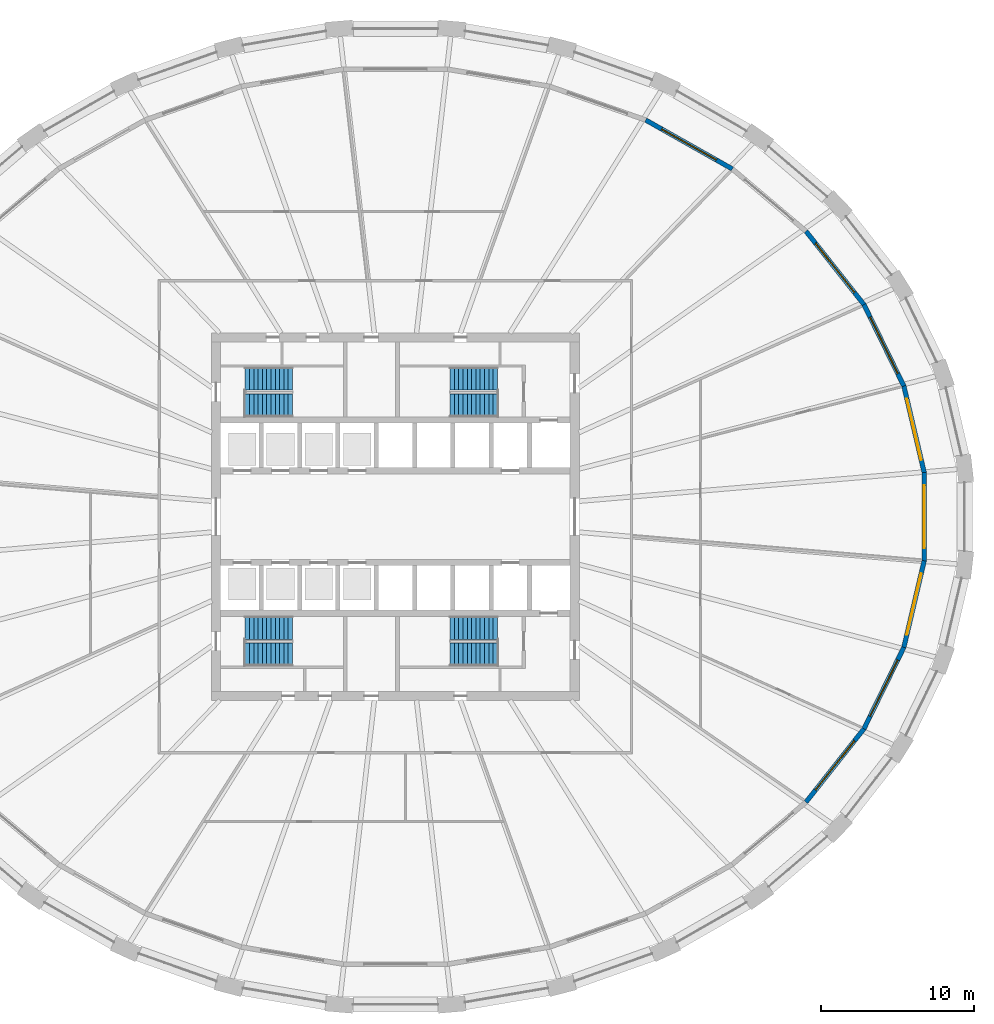
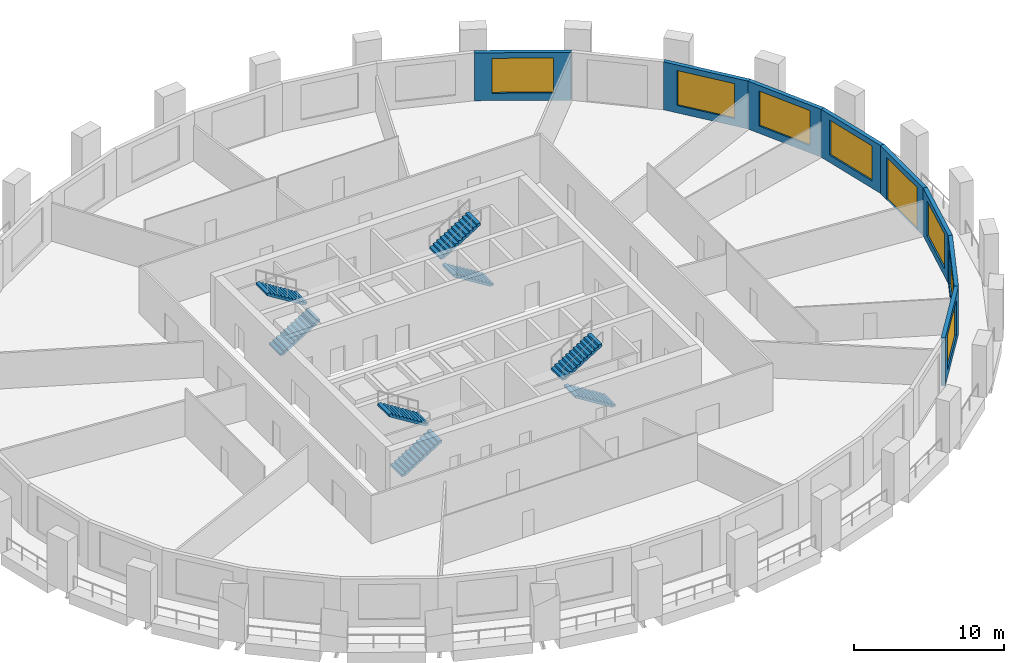
# One storey, part 7 of 10: 8 stair flights, 8 walls, 7 windows, 1 door, 8 openings, 4 elements without a shape of their own.
"""IFC4 building model written with IfcOpenShell, lengths in metres."""

from ifc_helpers import new_model, si_unit, direction, frame, frame_2d, origin, place, context, subcontext, project, spatial, polyline, rectangle, outline, extrude, material, layer, layer_set, type_object, element, fill, aggregate, save


model = new_model("IFC4")

# Units and contexts
model_context = context("Model", 3, precision=1e-05, world=origin(), true_north=direction((0.0, 1.0)))
body_context = subcontext(model_context, "Body", "Model", "MODEL_VIEW")
ifc_project = project(units=[si_unit("LENGTHUNIT", "METRE"), si_unit("AREAUNIT", "SQUARE_METRE"), si_unit("VOLUMEUNIT", "CUBIC_METRE"), si_unit("PLANEANGLEUNIT", "RADIAN"), si_unit("MASSUNIT", "GRAM", prefix="KILO")], contexts=[model_context])

# Site, building, storey
site_placement = place(None, origin())
site = spatial("IfcSite", under=ifc_project, at=site_placement, CompositionType="ELEMENT")
building_placement = place(site_placement, origin())
building = spatial("IfcBuilding", under=site, at=building_placement, Name="Halqa Exchange Tower", CompositionType="ELEMENT")
storey_placement = place(building_placement, frame((0.0, 0.0, 48.699951171875)))
storey = spatial("IfcBuildingStorey", under=building, at=storey_placement, Name="L10", CompositionType="ELEMENT", Elevation=48.699951171875)

# Wall, opening, window
ifc_material_1 = material(Name="Limestone cladding", Category="masonry")
ifc_layer_1 = layer(ifc_material_1, 0.0400390625)
ifc_material_2 = material(Name="Ventilated cavity")
ifc_layer_2 = layer(ifc_material_2, 0.030029296875, ventilated=True)
ifc_material_3 = material(Name="Mineral wool insulation")
ifc_layer_3 = layer(ifc_material_3, 0.10009765625)
ifc_material_4 = material(Name="Concrete C30/37", Category="concrete")
ifc_layer_4 = layer(ifc_material_4, 0.10009765625)
ifc_material_5 = material(Name="Internal plaster")
ifc_layer_5 = layer(ifc_material_5, 0.030029296875)
ifc_layer_set = layer_set([ifc_layer_1, ifc_layer_2, ifc_layer_3, ifc_layer_4, ifc_layer_5], Name="Stone-faced insulated wall 300")
wall_type = type_object("IfcWallType", Name="Stone-faced insulated wall 300", PredefinedType="STANDARD", material=ifc_layer_set)
wall_1_placement = place(storey_placement, frame((34.49951171875, 2.8779296875, 0.0), z_axis=(0.0, 0.0, 1.0), x_axis=(-0.228990053972, 0.973428762253, 0.0)))
wall_1 = element("IfcWall", 1, at=wall_1_placement, inside=storey, type_object=wall_type, Name="Glass-line wall 1", PredefinedType="STANDARD", context=body_context, shape_type="SweptSolid", body=[
    extrude(outline(polyline([(-0.017333984375, -0.14990234375), (5.815673828125, -0.14990234375), (5.781982421875, 0.14990234375), (0.017333984375, 0.14990234375), (-0.017333984375, -0.14990234375)])), origin(), (0.0, 0.0, 1.0), 3.900146484375),
])
opening_1_placement = place(wall_1_placement, frame((0.849365234375, 0.0, 0.60009765625)))
opening_1 = element("IfcOpeningElement", 2, at=opening_1_placement, cuts=wall_1, Name="Opening W-F1-01", PredefinedType="OPENING", context=body_context, shape_type="SweptSolid", body=[
    extrude(rectangle(XDim=4.10009765625, YDim=2.85009765625, at=frame_2d((2.050048828125, 1.425048828125))), frame((0.0, 0.162109375, 0.0), z_axis=(0.0, -1.0, 0.0), x_axis=(1.0, 0.0, 0.0)), (0.0, 0.0, 1.0), 0.323974609375),
])
ifc_material_6 = material(Name="Clear low-emissivity glass in aluminium frame", Category="aluminium")
window_type = type_object("IfcWindowType", Name="Fixed clear glazed window 4100 x 2850", PartitioningType="TRIPLE_PANEL_VERTICAL", PredefinedType="WINDOW", material=ifc_material_6)
window_1_placement = place(opening_1_placement, origin())
window_1 = element("IfcWindow", 3, at=window_1_placement, inside=storey, type_object=window_type, Name="Window 1", OverallHeight=2.85009765625, OverallWidth=4.10009765625, PartitioningType="TRIPLE_PANEL_VERTICAL", PredefinedType="WINDOW", context=body_context, shape_type="SweptSolid", body=[
    extrude(rectangle(XDim=4.10009765625, YDim=2.85009765625, at=frame_2d((2.050048828125, 1.425048828125))), frame((0.0, 0.030029296875, 0.0), z_axis=(0.0, -1.0, 0.0), x_axis=(1.0, 0.0, 0.0)), (0.0, 0.0, 1.0), 0.06005859375),
])
fill(opening_1, window_1)

wall_2_placement = place(storey_placement, frame((33.171630859375, 8.522705078125, 0.0), z_axis=(0.0, 0.0, 1.0), x_axis=(-0.439906146647, 0.898043752911, 0.0)))
wall_2 = element("IfcWall", 4, at=wall_2_placement, inside=storey, type_object=wall_type, Name="Glass-line wall 2", PredefinedType="STANDARD", context=body_context, shape_type="SweptSolid", body=[
    extrude(outline(polyline([(-0.016845703125, -0.14990234375), (5.93505859375, -0.14990234375), (5.90283203125, 0.14990234375), (0.016845703125, 0.14990234375), (-0.016845703125, -0.14990234375)])), origin(), (0.0, 0.0, 1.0), 3.900146484375),
])
opening_2_placement = place(wall_2_placement, frame((0.909423828125, 0.0, 0.60009765625)))
opening_2 = element("IfcOpeningElement", 5, at=opening_2_placement, cuts=wall_2, Name="Opening W-F1-02", PredefinedType="OPENING", context=body_context, shape_type="SweptSolid", body=[
    extrude(rectangle(XDim=4.10009765625, YDim=2.85009765625, at=frame_2d((2.050048828125, 1.425048828125))), frame((0.0, 0.162109375, 0.0), z_axis=(0.0, -1.0, 0.0), x_axis=(1.0, 0.0, 0.0)), (0.0, 0.0, 1.0), 0.323974609375),
])
window_2_placement = place(opening_2_placement, origin())
window_2 = element("IfcWindow", 6, at=window_2_placement, inside=storey, type_object=window_type, Name="Window 1", OverallHeight=2.85009765625, OverallWidth=4.10009765625, PartitioningType="TRIPLE_PANEL_VERTICAL", PredefinedType="WINDOW", context=body_context, shape_type="SweptSolid", body=[
    extrude(rectangle(XDim=4.10009765625, YDim=2.85009765625, at=frame_2d((2.050048828125, 1.425048828125))), frame((0.0, 0.030029296875, 0.0), z_axis=(0.0, -1.0, 0.0), x_axis=(1.0, 0.0, 0.0)), (0.0, 0.0, 1.0), 0.06005859375),
])
fill(opening_2, window_2)

wall_3_placement = place(storey_placement, frame((30.56787109375, 13.838134765625, 0.0), z_axis=(0.0, 0.0, 1.0), x_axis=(-0.619993638342, 0.78460683684, 0.0)))
wall_3 = element("IfcWall", 7, at=wall_3_placement, inside=storey, type_object=wall_type, Name="Glass-line wall 3", PredefinedType="STANDARD", context=body_context, shape_type="SweptSolid", body=[
    extrude(outline(polyline([(-0.01611328125, -0.14990234375), (6.109375, -0.14990234375), (6.0791015625, 0.14990234375), (0.01611328125, 0.14990234375), (-0.01611328125, -0.14990234375)])), origin(), (0.0, 0.0, 1.0), 3.900146484375),
])
opening_3_placement = place(wall_3_placement, frame((0.9970703125, 0.0, 0.60009765625)))
opening_3 = element("IfcOpeningElement", 8, at=opening_3_placement, cuts=wall_3, Name="Opening W-F1-03", PredefinedType="OPENING", context=body_context, shape_type="SweptSolid", body=[
    extrude(rectangle(XDim=4.10009765625, YDim=2.85009765625, at=frame_2d((2.050048828125, 1.425048828125))), frame((0.0, 0.162109375, 0.0), z_axis=(0.0, -1.0, 0.0), x_axis=(1.0, 0.0, 0.0)), (0.0, 0.0, 1.0), 0.323974609375),
])
window_3_placement = place(opening_3_placement, origin())
window_3 = element("IfcWindow", 9, at=window_3_placement, inside=storey, type_object=window_type, Name="Window 1", OverallHeight=2.85009765625, OverallWidth=4.10009765625, PartitioningType="TRIPLE_PANEL_VERTICAL", PredefinedType="WINDOW", context=body_context, shape_type="SweptSolid", body=[
    extrude(rectangle(XDim=4.10009765625, YDim=2.85009765625, at=frame_2d((2.050048828125, 1.425048828125))), frame((0.0, 0.030029296875, 0.0), z_axis=(0.0, -1.0, 0.0), x_axis=(1.0, 0.0, 0.0)), (0.0, 0.0, 1.0), 0.06005859375),
])
fill(opening_3, window_3)

wall_4_placement = place(storey_placement, frame((21.982666015625, 22.68408203125, 0.0), z_axis=(0.0, 0.0, 1.0), x_axis=(-0.870647609977, 0.491907246584, 0.0)))
wall_4 = element("IfcWall", 10, at=wall_4_placement, inside=storey, type_object=wall_type, Name="Glass-line wall 5", PredefinedType="STANDARD", context=body_context, shape_type="SweptSolid", body=[
    extrude(outline(polyline([(-0.01416015625, -0.14990234375), (6.502685546875, -0.14990234375), (6.475830078125, 0.14990234375), (0.01416015625, 0.14990234375), (-0.01416015625, -0.14990234375)])), origin(), (0.0, 0.0, 1.0), 3.900146484375),
])
opening_4_placement = place(wall_4_placement, frame((1.194580078125, 0.0, 0.60009765625)))
opening_4 = element("IfcOpeningElement", 11, at=opening_4_placement, cuts=wall_4, Name="Opening W-F1-05", PredefinedType="OPENING", context=body_context, shape_type="SweptSolid", body=[
    extrude(rectangle(XDim=4.10009765625, YDim=2.85009765625, at=frame_2d((2.050048828125, 1.425048828125))), frame((0.0, 0.162109375, 0.0), z_axis=(0.0, -1.0, 0.0), x_axis=(1.0, 0.0, 0.0)), (0.0, 0.0, 1.0), 0.323974609375),
])
window_4_placement = place(opening_4_placement, origin())
window_4 = element("IfcWindow", 12, at=window_4_placement, inside=storey, type_object=window_type, Name="Window 1", OverallHeight=2.85009765625, OverallWidth=4.10009765625, PartitioningType="TRIPLE_PANEL_VERTICAL", PredefinedType="WINDOW", context=body_context, shape_type="SweptSolid", body=[
    extrude(rectangle(XDim=4.10009765625, YDim=2.85009765625, at=frame_2d((2.050048828125, 1.425048828125))), frame((0.0, 0.030029296875, 0.0), z_axis=(0.0, -1.0, 0.0), x_axis=(1.0, 0.0, 0.0)), (0.0, 0.0, 1.0), 0.06005859375),
])
fill(opening_4, window_4)

wall_5_placement = place(storey_placement, frame((26.78955078125, -18.61962890625, 0.0), z_axis=(0.0, 0.0, 1.0), x_axis=(0.619993638342, 0.78460683684, 0.0)))
wall_5 = element("IfcWall", 13, at=wall_5_placement, inside=storey, type_object=wall_type, Name="Glass-line wall 29", PredefinedType="STANDARD", context=body_context, shape_type="SweptSolid", body=[
    extrude(outline(polyline([(-0.01513671875, -0.14990234375), (6.1103515625, -0.14990234375), (6.078125, 0.14990234375), (0.01513671875, 0.14990234375), (-0.01513671875, -0.14990234375)])), origin(), (0.0, 0.0, 1.0), 3.900146484375),
])
opening_5_placement = place(wall_5_placement, frame((0.9970703125, 0.0, 0.60009765625)))
opening_5 = element("IfcOpeningElement", 14, at=opening_5_placement, cuts=wall_5, Name="Opening W-F1-29", PredefinedType="OPENING", context=body_context, shape_type="SweptSolid", body=[
    extrude(rectangle(XDim=4.10009765625, YDim=2.85009765625, at=frame_2d((2.050048828125, 1.425048828125))), frame((0.0, 0.162109375, 0.0), z_axis=(0.0, -1.0, 0.0), x_axis=(1.0, 0.0, 0.0)), (0.0, 0.0, 1.0), 0.323974609375),
])
window_5_placement = place(opening_5_placement, origin())
window_5 = element("IfcWindow", 15, at=window_5_placement, inside=storey, type_object=window_type, Name="Window 1", OverallHeight=2.85009765625, OverallWidth=4.10009765625, PartitioningType="TRIPLE_PANEL_VERTICAL", PredefinedType="WINDOW", context=body_context, shape_type="SweptSolid", body=[
    extrude(rectangle(XDim=4.10009765625, YDim=2.85009765625, at=frame_2d((2.050048828125, 1.425048828125))), frame((0.0, 0.030029296875, 0.0), z_axis=(0.0, -1.0, 0.0), x_axis=(1.0, 0.0, 0.0)), (0.0, 0.0, 1.0), 0.06005859375),
])
fill(opening_5, window_5)

wall_6_placement = place(storey_placement, frame((30.56787109375, -13.838134765625, 0.0), z_axis=(0.0, 0.0, 1.0), x_axis=(0.439906146647, 0.898043752911, 0.0)))
wall_6 = element("IfcWall", 16, at=wall_6_placement, inside=storey, type_object=wall_type, Name="Glass-line wall 30", PredefinedType="STANDARD", context=body_context, shape_type="SweptSolid", body=[
    extrude(outline(polyline([(-0.01611328125, -0.14990234375), (5.935791015625, -0.14990234375), (5.902099609375, 0.14990234375), (0.01611328125, 0.14990234375), (-0.01611328125, -0.14990234375)])), origin(), (0.0, 0.0, 1.0), 3.900146484375),
])
opening_6_placement = place(wall_6_placement, frame((0.909423828125, 0.0, 0.60009765625)))
opening_6 = element("IfcOpeningElement", 17, at=opening_6_placement, cuts=wall_6, Name="Opening W-F1-30", PredefinedType="OPENING", context=body_context, shape_type="SweptSolid", body=[
    extrude(rectangle(XDim=4.10009765625, YDim=2.85009765625, at=frame_2d((2.050048828125, 1.425048828125))), frame((0.0, 0.162109375, 0.0), z_axis=(0.0, -1.0, 0.0), x_axis=(1.0, 0.0, 0.0)), (0.0, 0.0, 1.0), 0.323974609375),
])
window_6_placement = place(opening_6_placement, origin())
window_6 = element("IfcWindow", 18, at=window_6_placement, inside=storey, type_object=window_type, Name="Window 1", OverallHeight=2.85009765625, OverallWidth=4.10009765625, PartitioningType="TRIPLE_PANEL_VERTICAL", PredefinedType="WINDOW", context=body_context, shape_type="SweptSolid", body=[
    extrude(rectangle(XDim=4.10009765625, YDim=2.85009765625, at=frame_2d((2.050048828125, 1.425048828125))), frame((0.0, 0.030029296875, 0.0), z_axis=(0.0, -1.0, 0.0), x_axis=(1.0, 0.0, 0.0)), (0.0, 0.0, 1.0), 0.06005859375),
])
fill(opening_6, window_6)

wall_7_placement = place(storey_placement, frame((33.171630859375, -8.522705078125, 0.0), z_axis=(0.0, 0.0, 1.0), x_axis=(0.228990053972, 0.973428762253, 0.0)))
wall_7 = element("IfcWall", 19, at=wall_7_placement, inside=storey, type_object=wall_type, Name="Glass-line wall 31", PredefinedType="STANDARD", context=body_context, shape_type="SweptSolid", body=[
    extrude(outline(polyline([(-0.016845703125, -0.14990234375), (5.816162109375, -0.14990234375), (5.781494140625, 0.14990234375), (0.016845703125, 0.14990234375), (-0.016845703125, -0.14990234375)])), origin(), (0.0, 0.0, 1.0), 3.900146484375),
])
opening_7_placement = place(wall_7_placement, frame((0.849365234375, 0.0, 0.60009765625)))
opening_7 = element("IfcOpeningElement", 20, at=opening_7_placement, cuts=wall_7, Name="Opening W-F1-31", PredefinedType="OPENING", context=body_context, shape_type="SweptSolid", body=[
    extrude(rectangle(XDim=4.10009765625, YDim=2.85009765625, at=frame_2d((2.050048828125, 1.425048828125))), frame((0.0, 0.162109375, 0.0), z_axis=(0.0, -1.0, 0.0), x_axis=(1.0, 0.0, 0.0)), (0.0, 0.0, 1.0), 0.323974609375),
])
window_7_placement = place(opening_7_placement, origin())
window_7 = element("IfcWindow", 21, at=window_7_placement, inside=storey, type_object=window_type, Name="Window 1", OverallHeight=2.85009765625, OverallWidth=4.10009765625, PartitioningType="TRIPLE_PANEL_VERTICAL", PredefinedType="WINDOW", context=body_context, shape_type="SweptSolid", body=[
    extrude(rectangle(XDim=4.10009765625, YDim=2.85009765625, at=frame_2d((2.050048828125, 1.425048828125))), frame((0.0, 0.030029296875, 0.0), z_axis=(0.0, -1.0, 0.0), x_axis=(1.0, 0.0, 0.0)), (0.0, 0.0, 1.0), 0.06005859375),
])
fill(opening_7, window_7)

# Wall, opening, door
wall_8_placement = place(storey_placement, frame((34.49951171875, -2.8779296875, 0.0), z_axis=(0.0, 0.0, 1.0), x_axis=(0.0, 1.0, 0.0)))
wall_8 = element("IfcWall", 22, at=wall_8_placement, inside=storey, type_object=wall_type, Name="Glass-line wall 32", PredefinedType="STANDARD", context=body_context, shape_type="SweptSolid", body=[
    extrude(outline(polyline([(-0.017333984375, -0.14990234375), (5.773193359375, -0.14990234375), (5.738525390625, 0.14990234375), (0.017333984375, 0.14990234375), (-0.017333984375, -0.14990234375)])), origin(), (0.0, 0.0, 1.0), 3.900146484375),
])
opening_8_placement = place(wall_8_placement, frame((0.827880859375, 0.0, 0.0)))
opening_8 = element("IfcOpeningElement", 23, at=opening_8_placement, cuts=wall_8, Name="Opening LG-F1-08", PredefinedType="OPENING", context=body_context, shape_type="SweptSolid", body=[
    extrude(rectangle(XDim=4.10009765625, YDim=3.449951171875, at=frame_2d((2.050048828125, 1.72509765625))), frame((0.0, 0.162109375, 0.0), z_axis=(0.0, -1.0, 0.0), x_axis=(1.0, 0.0, 0.0)), (0.0, 0.0, 1.0), 0.323974609375),
])
door_type = type_object("IfcDoorType", Name="Glazed sliding loggia door 4100 x 3450", OperationType="DOUBLE_DOOR_SLIDING", PredefinedType="DOOR", material=ifc_material_6)
door_placement = place(opening_8_placement, origin())
door = element("IfcDoor", 24, at=door_placement, inside=storey, type_object=door_type, Name="Loggia door 8", OperationType="DOUBLE_DOOR_SLIDING", OverallHeight=3.449951171875, OverallWidth=4.10009765625, PredefinedType="DOOR", context=body_context, shape_type="SweptSolid", body=[
    extrude(rectangle(XDim=4.10009765625, YDim=3.449951171875, at=frame_2d((2.050048828125, 1.72509765625))), frame((0.0, 0.02490234375, 0.0), z_axis=(0.0, -1.0, 0.0), x_axis=(1.0, 0.0, 0.0)), (0.0, 0.0, 1.0), 0.050048828125),
])
fill(opening_8, door)

# Stair, stair flights
stair_type = type_object("IfcStairType", Name="Exit stair 1500 wide", PredefinedType="HALF_TURN_STAIR", material=ifc_material_4)
stair_1_placement = place(storey_placement, origin())
stair_1 = element("IfcStair", 25, at=stair_1_placement, inside=storey, type_object=stair_type, Name="Exit stair ST1", PredefinedType="HALF_TURN_STAIR")
stair_flight_type = type_object("IfcStairFlightType", Name="Stair flight 1500 wide", PredefinedType="STRAIGHT", material=ifc_material_4)
stair_flight_1_placement = place(storey_placement, frame((-9.800048828125, 7.25, 0.0), z_axis=(0.0, 0.0, 1.0), x_axis=(1.0, 0.0, 0.0)))
stair_flight_1 = element("IfcStairFlight", 26, at=stair_flight_1_placement, type_object=stair_flight_type, Name="ST1 flight 1", NumberOfRisers=12, NumberOfTreads=11, PredefinedType="STRAIGHT", RiserHeight=0.175, TreadLength=0.28, context=body_context, shape_type="SweptSolid", body=[
    extrude(outline(polyline([(0.0, 0.0), (0.0, 0.175048828125), (0.280029296875, 0.175048828125), (0.280029296875, 0.35009765625), (0.56005859375, 0.35009765625), (0.56005859375, 0.52490234375), (0.840087890625, 0.52490234375), (0.840087890625, 0.699951171875), (1.1201171875, 0.699951171875), (1.1201171875, 0.875), (1.39990234375, 0.875), (1.39990234375, 1.050048828125), (1.679931640625, 1.050048828125), (1.679931640625, 1.22509765625), (1.9599609375, 1.22509765625), (1.9599609375, 1.39990234375), (2.239990234375, 1.39990234375), (2.239990234375, 1.574951171875), (2.52001953125, 1.574951171875), (2.52001953125, 1.75), (2.800048828125, 1.75), (2.800048828125, 1.925048828125), (3.080078125, 1.925048828125), (3.080078125, 2.10009765625), (3.080078125, 1.748291015625), (0.28271484375, 0.0), (0.0, 0.0)])), frame((0.0, 0.75, 0.0), z_axis=(0.0, -1.0, 0.0), x_axis=(1.0, 0.0, 0.0)), (0.0, 0.0, 1.0), 1.5),
])
stair_flight_2_placement = place(storey_placement, frame((-6.719970703125, 9.0, 2.10009765625), z_axis=(0.0, 0.0, 1.0), x_axis=(-1.0, 0.0, 0.0)))
stair_flight_2 = element("IfcStairFlight", 27, at=stair_flight_2_placement, type_object=stair_flight_type, Name="ST1 flight 2", NumberOfRisers=12, NumberOfTreads=11, PredefinedType="STRAIGHT", RiserHeight=0.175, TreadLength=0.28, context=body_context, shape_type="SweptSolid", body=[
    extrude(outline(polyline([(0.0, 0.0), (0.0, 0.175048828125), (0.280029296875, 0.175048828125), (0.280029296875, 0.35009765625), (0.56005859375, 0.35009765625), (0.56005859375, 0.52490234375), (0.840087890625, 0.52490234375), (0.840087890625, 0.699951171875), (1.1201171875, 0.699951171875), (1.1201171875, 0.875), (1.39990234375, 0.875), (1.39990234375, 1.050048828125), (1.679931640625, 1.050048828125), (1.679931640625, 1.22509765625), (1.9599609375, 1.22509765625), (1.9599609375, 1.39990234375), (2.239990234375, 1.39990234375), (2.239990234375, 1.574951171875), (2.52001953125, 1.574951171875), (2.52001953125, 1.75), (2.800048828125, 1.75), (2.800048828125, 1.925048828125), (3.080078125, 1.925048828125), (3.080078125, 2.10009765625), (3.080078125, 1.748291015625), (0.28271484375, 0.0), (0.0, 0.0)])), frame((0.0, 0.75, 0.0), z_axis=(0.0, -1.0, 0.0), x_axis=(1.0, 0.0, 0.0)), (0.0, 0.0, 1.0), 1.5),
])
aggregate(stair_1, [stair_flight_1, stair_flight_2])

stair_2_placement = place(storey_placement, origin())
stair_2 = element("IfcStair", 28, at=stair_2_placement, inside=storey, type_object=stair_type, Name="Exit stair ST2", PredefinedType="HALF_TURN_STAIR")
stair_flight_3_placement = place(storey_placement, frame((6.64990234375, 7.25, 0.0), z_axis=(0.0, 0.0, 1.0), x_axis=(-1.0, 0.0, 0.0)))
stair_flight_3 = element("IfcStairFlight", 29, at=stair_flight_3_placement, type_object=stair_flight_type, Name="ST2 flight 1", NumberOfRisers=12, NumberOfTreads=11, PredefinedType="STRAIGHT", RiserHeight=0.175, TreadLength=0.28, context=body_context, shape_type="SweptSolid", body=[
    extrude(outline(polyline([(0.0, 0.0), (0.0, 0.175048828125), (0.280029296875, 0.175048828125), (0.280029296875, 0.35009765625), (0.56005859375, 0.35009765625), (0.56005859375, 0.52490234375), (0.840087890625, 0.52490234375), (0.840087890625, 0.699951171875), (1.1201171875, 0.699951171875), (1.1201171875, 0.875), (1.39990234375, 0.875), (1.39990234375, 1.050048828125), (1.679931640625, 1.050048828125), (1.679931640625, 1.22509765625), (1.9599609375, 1.22509765625), (1.9599609375, 1.39990234375), (2.239990234375, 1.39990234375), (2.239990234375, 1.574951171875), (2.52001953125, 1.574951171875), (2.52001953125, 1.75), (2.800048828125, 1.75), (2.800048828125, 1.925048828125), (3.080078125, 1.925048828125), (3.080078125, 2.10009765625), (3.080078125, 1.748291015625), (0.28271484375, 0.0), (0.0, 0.0)])), frame((0.0, 0.75, 0.0), z_axis=(0.0, -1.0, 0.0), x_axis=(1.0, 0.0, 0.0)), (0.0, 0.0, 1.0), 1.5),
])
stair_flight_4_placement = place(storey_placement, frame((3.570068359375, 9.0, 2.10009765625), z_axis=(0.0, 0.0, 1.0), x_axis=(1.0, 0.0, 0.0)))
stair_flight_4 = element("IfcStairFlight", 30, at=stair_flight_4_placement, type_object=stair_flight_type, Name="ST2 flight 2", NumberOfRisers=12, NumberOfTreads=11, PredefinedType="STRAIGHT", RiserHeight=0.175, TreadLength=0.28, context=body_context, shape_type="SweptSolid", body=[
    extrude(outline(polyline([(0.0, 0.0), (0.0, 0.175048828125), (0.280029296875, 0.175048828125), (0.280029296875, 0.35009765625), (0.56005859375, 0.35009765625), (0.56005859375, 0.52490234375), (0.840087890625, 0.52490234375), (0.840087890625, 0.699951171875), (1.1201171875, 0.699951171875), (1.1201171875, 0.875), (1.39990234375, 0.875), (1.39990234375, 1.050048828125), (1.679931640625, 1.050048828125), (1.679931640625, 1.22509765625), (1.9599609375, 1.22509765625), (1.9599609375, 1.39990234375), (2.239990234375, 1.39990234375), (2.239990234375, 1.574951171875), (2.52001953125, 1.574951171875), (2.52001953125, 1.75), (2.800048828125, 1.75), (2.800048828125, 1.925048828125), (3.080078125, 1.925048828125), (3.080078125, 2.10009765625), (3.080078125, 1.748291015625), (0.28271484375, 0.0), (0.0, 0.0)])), frame((0.0, 0.75, 0.0), z_axis=(0.0, -1.0, 0.0), x_axis=(1.0, 0.0, 0.0)), (0.0, 0.0, 1.0), 1.5),
])
aggregate(stair_2, [stair_flight_3, stair_flight_4])

stair_3_placement = place(storey_placement, origin())
stair_3 = element("IfcStair", 31, at=stair_3_placement, inside=storey, type_object=stair_type, Name="Exit stair ST3", PredefinedType="HALF_TURN_STAIR")
stair_flight_5_placement = place(storey_placement, frame((-9.800048828125, -9.0, 0.0), z_axis=(0.0, 0.0, 1.0), x_axis=(1.0, 0.0, 0.0)))
stair_flight_5 = element("IfcStairFlight", 32, at=stair_flight_5_placement, type_object=stair_flight_type, Name="ST3 flight 1", NumberOfRisers=12, NumberOfTreads=11, PredefinedType="STRAIGHT", RiserHeight=0.175, TreadLength=0.28, context=body_context, shape_type="SweptSolid", body=[
    extrude(outline(polyline([(0.0, 0.0), (0.0, 0.175048828125), (0.280029296875, 0.175048828125), (0.280029296875, 0.35009765625), (0.56005859375, 0.35009765625), (0.56005859375, 0.52490234375), (0.840087890625, 0.52490234375), (0.840087890625, 0.699951171875), (1.1201171875, 0.699951171875), (1.1201171875, 0.875), (1.39990234375, 0.875), (1.39990234375, 1.050048828125), (1.679931640625, 1.050048828125), (1.679931640625, 1.22509765625), (1.9599609375, 1.22509765625), (1.9599609375, 1.39990234375), (2.239990234375, 1.39990234375), (2.239990234375, 1.574951171875), (2.52001953125, 1.574951171875), (2.52001953125, 1.75), (2.800048828125, 1.75), (2.800048828125, 1.925048828125), (3.080078125, 1.925048828125), (3.080078125, 2.10009765625), (3.080078125, 1.748291015625), (0.28271484375, 0.0), (0.0, 0.0)])), frame((0.0, 0.75, 0.0), z_axis=(0.0, -1.0, 0.0), x_axis=(1.0, 0.0, 0.0)), (0.0, 0.0, 1.0), 1.5),
])
stair_flight_6_placement = place(storey_placement, frame((-6.719970703125, -7.25, 2.10009765625), z_axis=(0.0, 0.0, 1.0), x_axis=(-1.0, 0.0, 0.0)))
stair_flight_6 = element("IfcStairFlight", 33, at=stair_flight_6_placement, type_object=stair_flight_type, Name="ST3 flight 2", NumberOfRisers=12, NumberOfTreads=11, PredefinedType="STRAIGHT", RiserHeight=0.175, TreadLength=0.28, context=body_context, shape_type="SweptSolid", body=[
    extrude(outline(polyline([(0.0, 0.0), (0.0, 0.175048828125), (0.280029296875, 0.175048828125), (0.280029296875, 0.35009765625), (0.56005859375, 0.35009765625), (0.56005859375, 0.52490234375), (0.840087890625, 0.52490234375), (0.840087890625, 0.699951171875), (1.1201171875, 0.699951171875), (1.1201171875, 0.875), (1.39990234375, 0.875), (1.39990234375, 1.050048828125), (1.679931640625, 1.050048828125), (1.679931640625, 1.22509765625), (1.9599609375, 1.22509765625), (1.9599609375, 1.39990234375), (2.239990234375, 1.39990234375), (2.239990234375, 1.574951171875), (2.52001953125, 1.574951171875), (2.52001953125, 1.75), (2.800048828125, 1.75), (2.800048828125, 1.925048828125), (3.080078125, 1.925048828125), (3.080078125, 2.10009765625), (3.080078125, 1.748291015625), (0.28271484375, 0.0), (0.0, 0.0)])), frame((0.0, 0.75, 0.0), z_axis=(0.0, -1.0, 0.0), x_axis=(1.0, 0.0, 0.0)), (0.0, 0.0, 1.0), 1.5),
])
aggregate(stair_3, [stair_flight_5, stair_flight_6])

stair_4_placement = place(storey_placement, origin())
stair_4 = element("IfcStair", 34, at=stair_4_placement, inside=storey, type_object=stair_type, Name="Exit stair ST4", PredefinedType="HALF_TURN_STAIR")
stair_flight_7_placement = place(storey_placement, frame((6.64990234375, -9.0, 0.0), z_axis=(0.0, 0.0, 1.0), x_axis=(-1.0, 0.0, 0.0)))
stair_flight_7 = element("IfcStairFlight", 35, at=stair_flight_7_placement, type_object=stair_flight_type, Name="ST4 flight 1", NumberOfRisers=12, NumberOfTreads=11, PredefinedType="STRAIGHT", RiserHeight=0.175, TreadLength=0.28, context=body_context, shape_type="SweptSolid", body=[
    extrude(outline(polyline([(0.0, 0.0), (0.0, 0.175048828125), (0.280029296875, 0.175048828125), (0.280029296875, 0.35009765625), (0.56005859375, 0.35009765625), (0.56005859375, 0.52490234375), (0.840087890625, 0.52490234375), (0.840087890625, 0.699951171875), (1.1201171875, 0.699951171875), (1.1201171875, 0.875), (1.39990234375, 0.875), (1.39990234375, 1.050048828125), (1.679931640625, 1.050048828125), (1.679931640625, 1.22509765625), (1.9599609375, 1.22509765625), (1.9599609375, 1.39990234375), (2.239990234375, 1.39990234375), (2.239990234375, 1.574951171875), (2.52001953125, 1.574951171875), (2.52001953125, 1.75), (2.800048828125, 1.75), (2.800048828125, 1.925048828125), (3.080078125, 1.925048828125), (3.080078125, 2.10009765625), (3.080078125, 1.748291015625), (0.28271484375, 0.0), (0.0, 0.0)])), frame((0.0, 0.75, 0.0), z_axis=(0.0, -1.0, 0.0), x_axis=(1.0, 0.0, 0.0)), (0.0, 0.0, 1.0), 1.5),
])
stair_flight_8_placement = place(storey_placement, frame((3.570068359375, -7.25, 2.10009765625), z_axis=(0.0, 0.0, 1.0), x_axis=(1.0, 0.0, 0.0)))
stair_flight_8 = element("IfcStairFlight", 36, at=stair_flight_8_placement, type_object=stair_flight_type, Name="ST4 flight 2", NumberOfRisers=12, NumberOfTreads=11, PredefinedType="STRAIGHT", RiserHeight=0.175, TreadLength=0.28, context=body_context, shape_type="SweptSolid", body=[
    extrude(outline(polyline([(0.0, 0.0), (0.0, 0.175048828125), (0.280029296875, 0.175048828125), (0.280029296875, 0.35009765625), (0.56005859375, 0.35009765625), (0.56005859375, 0.52490234375), (0.840087890625, 0.52490234375), (0.840087890625, 0.699951171875), (1.1201171875, 0.699951171875), (1.1201171875, 0.875), (1.39990234375, 0.875), (1.39990234375, 1.050048828125), (1.679931640625, 1.050048828125), (1.679931640625, 1.22509765625), (1.9599609375, 1.22509765625), (1.9599609375, 1.39990234375), (2.239990234375, 1.39990234375), (2.239990234375, 1.574951171875), (2.52001953125, 1.574951171875), (2.52001953125, 1.75), (2.800048828125, 1.75), (2.800048828125, 1.925048828125), (3.080078125, 1.925048828125), (3.080078125, 2.10009765625), (3.080078125, 1.748291015625), (0.28271484375, 0.0), (0.0, 0.0)])), frame((0.0, 0.75, 0.0), z_axis=(0.0, -1.0, 0.0), x_axis=(1.0, 0.0, 0.0)), (0.0, 0.0, 1.0), 1.5),
])
aggregate(stair_4, [stair_flight_7, stair_flight_8])

save(model, "model.ifc")
